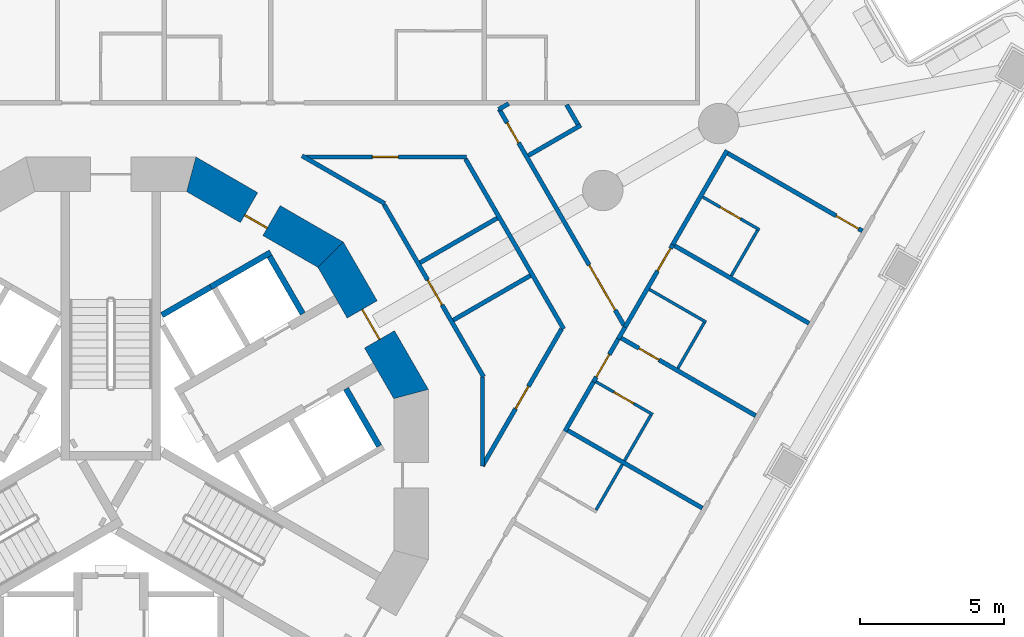
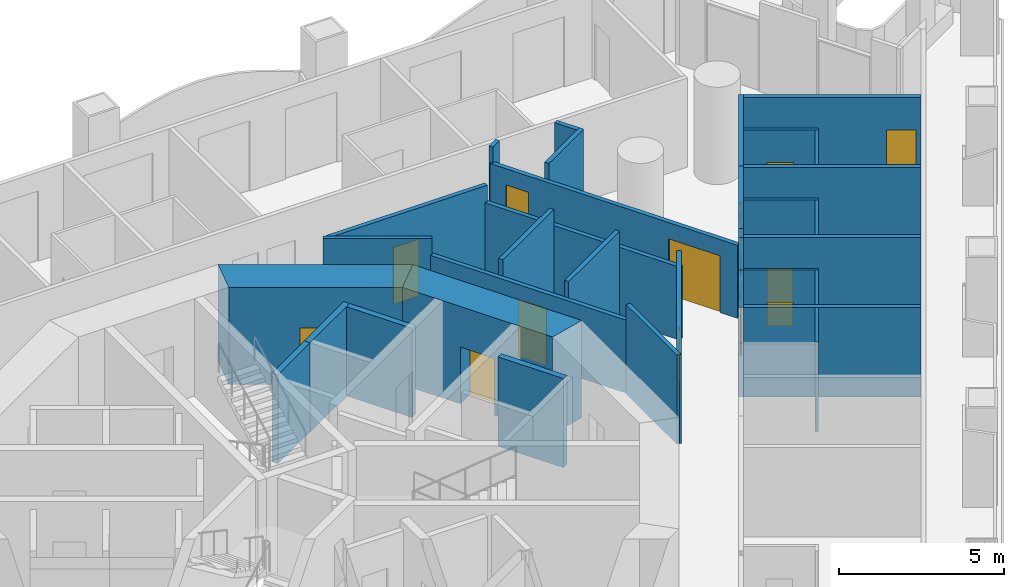
# One storey, part 9 of 19: 34 walls, 13 doors, 13 openings.
"""IFC4 building model written with IfcOpenShell, lengths in metres."""

from ifc_helpers import new_model, si_unit, direction, frame, frame_2d, origin, place, context, subcontext, project, spatial, polyline, rectangle, outline, extrude, material, layer, layer_set, type_object, element, fill, save


model = new_model("IFC4")

# Units and contexts
model_context = context("Model", 3, precision=1e-05, world=origin(), true_north=direction((0.0, 1.0)))
body_context = subcontext(model_context, "Body", "Model", "MODEL_VIEW")
ifc_project = project(units=[si_unit("LENGTHUNIT", "METRE"), si_unit("AREAUNIT", "SQUARE_METRE"), si_unit("VOLUMEUNIT", "CUBIC_METRE"), si_unit("PLANEANGLEUNIT", "RADIAN"), si_unit("MASSUNIT", "GRAM", prefix="KILO")], contexts=[model_context])

# Site, building, storey
site_placement = place(None, origin())
site = spatial("IfcSite", under=ifc_project, at=site_placement, CompositionType="ELEMENT")
building_placement = place(site_placement, origin())
building = spatial("IfcBuilding", under=site, at=building_placement, Name="Trine Commons Tower", CompositionType="ELEMENT")
storey_placement = place(building_placement, frame((0.0, 0.0, 31.5)))
storey = spatial("IfcBuildingStorey", under=building, at=storey_placement, Name="L06", CompositionType="ELEMENT", Elevation=31.5)

# Wall, opening, door
ifc_material_1 = material(Name="Concrete C80/95", Category="concrete")
ifc_layer_1 = layer(ifc_material_1, 1.199951171875)
ifc_layer_set_1 = layer_set([ifc_layer_1], Name="Concrete C80/95")
wall_type_1 = type_object("IfcWallType", Name="RC shear wall 1200 mm, C80/95", PredefinedType="SHEAR", material=ifc_layer_set_1)
wall_1_placement = place(storey_placement, frame((90.491943359375, 65.150390625, 0.0), z_axis=(0.0, 0.0, 1.0), x_axis=(-0.499979111662, 0.866037463336, 0.0)))
wall_1 = element("IfcWall", 1, at=wall_1_placement, inside=storey, type_object=wall_type_1, Name="Core wall CWA-02 L06", PredefinedType="SHEAR", context=body_context, shape_type="SweptSolid", body=[
    extrude(outline(polyline([(0.0, -0.60009765625), (5.901123046875, -0.60009765625), (5.57958984375, 0.60009765625), (0.321533203125, 0.60009765625), (0.0, -0.60009765625)])), origin(), (0.0, 0.0, 1.0), 3.60009765625),
])
opening_1_placement = place(wall_1_placement, frame((2.3505859375, 0.0, 0.0)))
opening_1 = element("IfcOpeningElement", 2, at=opening_1_placement, cuts=wall_1, Name="Opening K05.04", PredefinedType="OPENING", context=body_context, shape_type="SweptSolid", body=[
    extrude(rectangle(XDim=1.199951171875, YDim=2.10009765625, at=frame_2d((0.60009765625, 1.050048828125))), frame((0.0, 0.60986328125, 0.0), z_axis=(0.0, -1.0, 0.0), x_axis=(1.0, 0.0, 0.0)), (0.0, 0.0, 1.0), 1.219970703125),
])
ifc_material_2 = material(Name="Steel door leaves, fire-rated", Category="steel")
door_type_1 = type_object("IfcDoorType", Name="Lobby door, double leaf 1200 x 2100, FD60", OperationType="DOUBLE_DOOR_SINGLE_SWING", PredefinedType="DOOR", material=ifc_material_2)
door_1_placement = place(opening_1_placement, origin())
door_1 = element("IfcDoor", 3, at=door_1_placement, inside=storey, type_object=door_type_1, Name="Lobby door, Passenger lift lobby A L06", OperationType="DOUBLE_DOOR_SINGLE_SWING", OverallHeight=2.10009765625, OverallWidth=1.199951171875, PredefinedType="DOOR", context=body_context, shape_type="SweptSolid", body=[
    extrude(rectangle(XDim=1.199951171875, YDim=2.10009765625, at=frame_2d((0.60009765625, 1.050048828125))), frame((0.0, 0.02490234375, 0.0), z_axis=(0.0, -1.0, 0.0), x_axis=(1.0, 0.0, 0.0)), (0.0, 0.0, 1.0), 0.050048828125),
])
fill(opening_1, door_1)

wall_2_placement = place(storey_placement, frame((87.760986328125, 70.04150390625, 0.0), z_axis=(0.0, 0.0, 1.0), x_axis=(-0.866037463336, 0.499979111662, 0.0)))
wall_2 = element("IfcWall", 4, at=wall_2_placement, inside=storey, type_object=wall_type_1, Name="Core wall CWA-03 L06", PredefinedType="SHEAR", context=body_context, shape_type="SweptSolid", body=[
    extrude(outline(polyline([(0.0, -0.60009765625), (5.901123046875, -0.60009765625), (5.57958984375, 0.60009765625), (0.321533203125, 0.60009765625), (0.0, -0.60009765625)])), origin(), (0.0, 0.0, 1.0), 3.60009765625),
])
opening_2_placement = place(wall_2_placement, frame((2.526611328125, 0.0, 0.0)))
opening_2 = element("IfcOpeningElement", 5, at=opening_2_placement, cuts=wall_2, Name="Opening K05.11", PredefinedType="OPENING", context=body_context, shape_type="SweptSolid", body=[
    extrude(rectangle(XDim=0.89990234375, YDim=2.10009765625, at=frame_2d((0.449951171875, 1.050048828125))), frame((0.0, 0.60986328125, 0.0), z_axis=(0.0, -1.0, 0.0), x_axis=(1.0, 0.0, 0.0)), (0.0, 0.0, 1.0), 1.219970703125),
])
ifc_material_3 = material(Name="Steel door leaf, fire-rated", Category="steel")
door_type_2 = type_object("IfcDoorType", Name="Core room door, single leaf 900 x 2100, FD30S", OperationType="SINGLE_SWING_LEFT", PredefinedType="DOOR", material=ifc_material_3)
door_2_placement = place(opening_2_placement, origin())
door_2 = element("IfcDoor", 6, at=door_2_placement, inside=storey, type_object=door_type_2, Name="Door to Core WC L06", OperationType="SINGLE_SWING_RIGHT", OverallHeight=2.10009765625, OverallWidth=0.89990234375, PredefinedType="DOOR", context=body_context, shape_type="SweptSolid", body=[
    extrude(rectangle(XDim=0.89990234375, YDim=2.10009765625, at=frame_2d((0.449951171875, 1.050048828125))), frame((0.0, 0.3251953125, 0.0), z_axis=(0.0, -1.0, 0.0), x_axis=(1.0, 0.0, 0.0)), (0.0, 0.0, 1.0), 0.050048828125),
])
fill(opening_2, door_2)

# Walls
ifc_material_4 = material(Name="Fire-rated gypsum shaft wall system")
ifc_layer_2 = layer(ifc_material_4, 0.199951171875)
ifc_layer_set_2 = layer_set([ifc_layer_2], Name="Fire-rated gypsum shaft wall system")
wall_type_2 = type_object("IfcWallType", Name="Shaft wall 200 mm, EI 120", PredefinedType="PARTITIONING", material=ifc_layer_set_2)
wall_3_placement = place(storey_placement, frame((81.77490234375, 68.028076171875, 0.0), z_axis=(0.0, 0.0, 1.0), x_axis=(0.866052014814, 0.499953905513, 0.0)))
element("IfcWall", 7, at=wall_3_placement, inside=storey, type_object=wall_type_2, Name="Shaft wall L06", PredefinedType="PARTITIONING", context=body_context, shape_type="SweptSolid", body=[
    extrude(rectangle(XDim=1.947998046875, YDim=0.199951171875, at=frame_2d((0.97412109375, 0.0))), origin(), (0.0, 0.0, 1.0), 3.300048828125),
])
wall_4_placement = place(storey_placement, frame((83.4619140625, 69.001953125, 0.0), z_axis=(0.0, 0.0, 1.0), x_axis=(0.866202511239, 0.499693115345, 0.0)))
element("IfcWall", 8, at=wall_4_placement, inside=storey, type_object=wall_type_2, Name="Shaft wall L06", PredefinedType="PARTITIONING", context=body_context, shape_type="SweptSolid", body=[
    extrude(rectangle(XDim=2.4013671875, YDim=0.199951171875, at=frame_2d((1.20068359375, 0.0))), origin(), (0.0, 0.0, 1.0), 3.300048828125),
])
wall_5_placement = place(storey_placement, frame((86.655029296875, 68.073974609375, 0.0), z_axis=(0.0, 0.0, 1.0), x_axis=(-0.500215680983, 0.865900844496, 0.0)))
element("IfcWall", 9, at=wall_5_placement, inside=storey, type_object=wall_type_2, Name="Shaft wall L06", PredefinedType="PARTITIONING", context=body_context, shape_type="SweptSolid", body=[
    extrude(rectangle(XDim=2.29931640625, YDim=0.199951171875, at=frame_2d((1.149658203125, 0.0))), origin(), (0.0, 0.0, 1.0), 3.300048828125),
])
wall_6_placement = place(storey_placement, frame((88.155029296875, 65.47607421875, 0.0), z_axis=(0.0, 0.0, 1.0), x_axis=(0.500136062276, -0.86594683394, 0.0)))
element("IfcWall", 10, at=wall_6_placement, inside=storey, type_object=wall_type_2, Name="Shaft wall L06", PredefinedType="PARTITIONING", context=body_context, shape_type="SweptSolid", body=[
    extrude(rectangle(XDim=2.299072265625, YDim=0.199951171875, at=frame_2d((1.1494140625, 0.0))), origin(), (0.0, 0.0, 1.0), 3.300048828125),
])
ifc_material_5 = material(Name="Gypsum plasterboard on steel stud", Category="steel")
ifc_layer_3 = layer(ifc_material_5, 0.14990234375)
ifc_layer_set_3 = layer_set([ifc_layer_3], Name="Gypsum plasterboard on steel stud")
wall_type_3 = type_object("IfcWallType", Name="Unit and corridor wall 150 mm, EI 60", PredefinedType="PARTITIONING", material=ifc_layer_set_3)
wall_7_placement = place(storey_placement, frame((86.633056640625, 73.551513671875, 0.0), z_axis=(0.0, 0.0, 1.0), x_axis=(0.865959508231, -0.500114117081, 0.0)))
element("IfcWall", 11, at=wall_7_placement, inside=storey, type_object=wall_type_3, Name="Partition 092", PredefinedType="PARTITIONING", context=body_context, shape_type="SweptSolid", body=[
    extrude(rectangle(XDim=3.309326171875, YDim=0.14990234375, at=frame_2d((1.65478515625, 0.0))), origin(), (0.0, 0.0, 1.0), 3.300048828125),
])

# Wall, opening, door
wall_8_placement = place(storey_placement, frame((86.77587890625, 73.511962890625, 0.0), z_axis=(0.0, 0.0, 1.0), x_axis=(1.0, 0.0, 0.0)))
wall_8 = element("IfcWall", 12, at=wall_8_placement, inside=storey, type_object=wall_type_3, Name="Partition 093", PredefinedType="PARTITIONING", context=body_context, shape_type="SweptSolid", body=[
    extrude(rectangle(XDim=5.55810546875, YDim=0.14990234375, at=frame_2d((2.779052734375, 0.0))), origin(), (0.0, 0.0, 1.0), 3.300048828125),
])
opening_3_placement = place(wall_8_placement, frame((2.29150390625, 0.0, 0.0)))
opening_3 = element("IfcOpeningElement", 13, at=opening_3_placement, cuts=wall_8, Name="Opening D-1A36", PredefinedType="OPENING", context=body_context, shape_type="SweptSolid", body=[
    extrude(rectangle(XDim=0.89990234375, YDim=2.10009765625, at=frame_2d((0.449951171875, 1.050048828125))), frame((0.0, 0.0849609375, 0.0), z_axis=(0.0, -1.0, 0.0), x_axis=(1.0, 0.0, 0.0)), (0.0, 0.0, 1.0), 0.169921875),
])
ifc_material_6 = material(Name="Timber fire door set", Category="wood")
door_type_3 = type_object("IfcDoorType", Name="Service door 900 x 2100, FD30S", OperationType="NOTDEFINED", PredefinedType="DOOR", material=ifc_material_6)
door_3_placement = place(opening_3_placement, frame((0.89990234375, 0.0, 0.0), z_axis=(0.0, 0.0, 1.0), x_axis=(-1.0, 0.0, 0.0)))
door_3 = element("IfcDoor", 14, at=door_3_placement, inside=storey, type_object=door_type_3, Name="Door D-1A36", OperationType="SINGLE_SWING_RIGHT", OverallHeight=2.10009765625, OverallWidth=0.89990234375, PredefinedType="DOOR", context=body_context, shape_type="SweptSolid", body=[
    extrude(rectangle(XDim=0.89990234375, YDim=2.10009765625, at=frame_2d((0.449951171875, 1.050048828125))), frame((0.0, 0.02490234375, 0.0), z_axis=(0.0, -1.0, 0.0), x_axis=(1.0, 0.0, 0.0)), (0.0, 0.0, 1.0), 0.050048828125),
])
fill(opening_3, door_3)

wall_9_placement = place(storey_placement, frame((89.471435546875, 71.868896484375, 0.0), z_axis=(0.0, 0.0, 1.0), x_axis=(0.50000193825, -0.866024284732, 0.0)))
wall_9 = element("IfcWall", 15, at=wall_9_placement, inside=storey, type_object=wall_type_3, Name="Partition 099", PredefinedType="PARTITIONING", context=body_context, shape_type="SweptSolid", body=[
    extrude(rectangle(XDim=6.90625, YDim=0.14990234375, at=frame_2d((3.453125, 0.0))), origin(), (0.0, 0.0, 1.0), 2.699951171875),
])
opening_4_placement = place(wall_9_placement, frame((3.0283203125, 0.0, 0.0)))
opening_4 = element("IfcOpeningElement", 16, at=opening_4_placement, cuts=wall_9, Name="Opening D-1A40", PredefinedType="OPENING", context=body_context, shape_type="SweptSolid", body=[
    extrude(rectangle(XDim=1.0, YDim=2.10009765625, at=frame_2d((0.5, 1.050048828125))), frame((0.0, 0.0849609375, 0.0), z_axis=(0.0, -1.0, 0.0), x_axis=(1.0, 0.0, 0.0)), (0.0, 0.0, 1.0), 0.169921875),
])
ifc_material_7 = material(Name="Painted timber", Category="wood")
door_type_4 = type_object("IfcDoorType", Name="Toilet door 1000 x 2100, NOT RATED", OperationType="NOTDEFINED", PredefinedType="DOOR", material=ifc_material_7)
door_4_placement = place(opening_4_placement, origin())
door_4 = element("IfcDoor", 17, at=door_4_placement, inside=storey, type_object=door_type_4, Name="Door D-1A40", OperationType="SINGLE_SWING_RIGHT", OverallHeight=2.10009765625, OverallWidth=1.0, PredefinedType="DOOR", context=body_context, shape_type="SweptSolid", body=[
    extrude(rectangle(XDim=1.0, YDim=2.10009765625, at=frame_2d((0.5, 1.050048828125))), frame((0.0, 0.02490234375, 0.0), z_axis=(0.0, -1.0, 0.0), x_axis=(1.0, 0.0, 0.0)), (0.0, 0.0, 1.0), 0.050048828125),
])
fill(opening_4, door_4)

# Walls
wall_10_placement = place(storey_placement, frame((90.724853515625, 69.846435546875, 0.0), z_axis=(0.0, 0.0, 1.0), x_axis=(0.866014305363, 0.500019222537, 0.0)))
element("IfcWall", 18, at=wall_10_placement, inside=storey, type_object=wall_type_3, Name="Partition 103", PredefinedType="PARTITIONING", context=body_context, shape_type="SweptSolid", body=[
    extrude(rectangle(XDim=3.0859375, YDim=0.14990234375, at=frame_2d((1.54296875, 0.0))), origin(), (0.0, 0.0, 1.0), 3.300048828125),
])
wall_11_placement = place(storey_placement, frame((91.875, 67.8544921875, 0.0), z_axis=(0.0, 0.0, 1.0), x_axis=(0.865994522568, 0.500053484023, 0.0)))
element("IfcWall", 19, at=wall_11_placement, inside=storey, type_object=wall_type_3, Name="Partition 104", PredefinedType="PARTITIONING", context=body_context, shape_type="SweptSolid", body=[
    extrude(rectangle(XDim=3.085693359375, YDim=0.14990234375, at=frame_2d((1.54296875, 0.0))), origin(), (0.0, 0.0, 1.0), 3.300048828125),
])
wall_12_placement = place(storey_placement, frame((92.29638671875, 73.447021484375, 0.0), z_axis=(0.0, 0.0, 1.0), x_axis=(0.499961235371, -0.866047783397, 0.0)))
element("IfcWall", 20, at=wall_12_placement, inside=storey, type_object=wall_type_3, Name="Partition 106", PredefinedType="PARTITIONING", context=body_context, shape_type="SweptSolid", body=[
    extrude(rectangle(XDim=6.81494140625, YDim=0.14990234375, at=frame_2d((3.407470703125, 0.0))), origin(), (0.0, 0.0, 1.0), 2.699951171875),
])
wall_13_placement = place(storey_placement, frame((92.886962890625, 62.79296875, 0.0), z_axis=(0.0, 0.0, 1.0), x_axis=(0.0, 1.0, 0.0)))
element("IfcWall", 21, at=wall_13_placement, inside=storey, type_object=wall_type_3, Name="Partition 108", PredefinedType="PARTITIONING", context=body_context, shape_type="SweptSolid", body=[
    extrude(rectangle(XDim=3.0849609375, YDim=0.14990234375, at=frame_2d((1.54248046875, 0.0))), origin(), (0.0, 0.0, 1.0), 3.300048828125),
])

# Wall, opening, door
wall_14_placement = place(storey_placement, frame((92.886962890625, 62.797119140625, 0.0), z_axis=(0.0, 0.0, 1.0), x_axis=(0.500042392625, 0.866000927008, 0.0)))
wall_14 = element("IfcWall", 22, at=wall_14_placement, inside=storey, type_object=wall_type_3, Name="Partition 109", PredefinedType="PARTITIONING", context=body_context, shape_type="SweptSolid", body=[
    extrude(rectangle(XDim=5.482421875, YDim=0.14990234375, at=frame_2d((2.7412109375, 0.0))), origin(), (0.0, 0.0, 1.0), 3.300048828125),
])
opening_5_placement = place(wall_14_placement, frame((2.291259765625, 0.0, 0.0)))
opening_5 = element("IfcOpeningElement", 23, at=opening_5_placement, cuts=wall_14, Name="Opening D-1A37", PredefinedType="OPENING", context=body_context, shape_type="SweptSolid", body=[
    extrude(rectangle(XDim=0.89990234375, YDim=2.10009765625, at=frame_2d((0.449951171875, 1.050048828125))), frame((0.0, 0.0849609375, 0.0), z_axis=(0.0, -1.0, 0.0), x_axis=(1.0, 0.0, 0.0)), (0.0, 0.0, 1.0), 0.169921875),
])
door_5_placement = place(opening_5_placement, origin())
door_5 = element("IfcDoor", 24, at=door_5_placement, inside=storey, type_object=door_type_3, Name="Door D-1A37", OperationType="SINGLE_SWING_LEFT", OverallHeight=2.10009765625, OverallWidth=0.89990234375, PredefinedType="DOOR", context=body_context, shape_type="SweptSolid", body=[
    extrude(rectangle(XDim=0.89990234375, YDim=2.10009765625, at=frame_2d((0.449951171875, 1.050048828125))), frame((0.0, 0.02490234375, 0.0), z_axis=(0.0, -1.0, 0.0), x_axis=(1.0, 0.0, 0.0)), (0.0, 0.0, 1.0), 0.050048828125),
])
fill(opening_5, door_5)

# Wall, openings, doors
wall_15_placement = place(storey_placement, frame((93.464111328125, 75.173095703125, 0.0), z_axis=(0.0, 0.0, 1.0), x_axis=(0.50002999923, -0.866008083028, 0.0)))
wall_15 = element("IfcWall", 25, at=wall_15_placement, inside=storey, type_object=wall_type_3, Name="Partition 112", PredefinedType="PARTITIONING", context=body_context, shape_type="SweptSolid", body=[
    extrude(rectangle(XDim=8.658203125, YDim=0.14990234375, at=frame_2d((4.3291015625, 0.0))), origin(), (0.0, 0.0, 1.0), 2.699951171875),
])
opening_6_placement = place(wall_15_placement, frame((6.24560546875, 0.0, 0.0)))
opening_6 = element("IfcOpeningElement", 26, at=opening_6_placement, cuts=wall_15, Name="Opening D-1A01", PredefinedType="OPENING", context=body_context, shape_type="SweptSolid", body=[
    extrude(rectangle(XDim=1.800048828125, YDim=2.10009765625, at=frame_2d((0.89990234375, 1.050048828125))), frame((0.0, 0.0849609375, 0.0), z_axis=(0.0, -1.0, 0.0), x_axis=(1.0, 0.0, 0.0)), (0.0, 0.0, 1.0), 0.169921875),
])
opening_7_placement = place(wall_15_placement, frame((0.55322265625, 0.0, 0.0)))
opening_7 = element("IfcOpeningElement", 27, at=opening_7_placement, cuts=wall_15, Name="Opening D-1A04", PredefinedType="OPENING", context=body_context, shape_type="SweptSolid", body=[
    extrude(rectangle(XDim=0.800048828125, YDim=2.10009765625, at=frame_2d((0.39990234375, 1.050048828125))), frame((0.0, 0.0849609375, 0.0), z_axis=(0.0, -1.0, 0.0), x_axis=(1.0, 0.0, 0.0)), (0.0, 0.0, 1.0), 0.169921875),
])
door_type_5 = type_object("IfcDoorType", Name="Cluster entrance door 1800 x 2100, double leaf, FD30S", OperationType="DOUBLE_DOOR_DOUBLE_SWING", PredefinedType="DOOR", material=ifc_material_6)
door_6_placement = place(opening_6_placement, origin())
door_6 = element("IfcDoor", 28, at=door_6_placement, inside=storey, type_object=door_type_5, Name="Door D-1A01", OperationType="DOUBLE_DOOR_DOUBLE_SWING", OverallHeight=2.10009765625, OverallWidth=1.800048828125, PredefinedType="DOOR", context=body_context, shape_type="SweptSolid", body=[
    extrude(rectangle(XDim=1.800048828125, YDim=2.10009765625, at=frame_2d((0.89990234375, 1.050048828125))), frame((0.0, 0.02490234375, 0.0), z_axis=(0.0, -1.0, 0.0), x_axis=(1.0, 0.0, 0.0)), (0.0, 0.0, 1.0), 0.050048828125),
])
fill(opening_6, door_6)
door_type_6 = type_object("IfcDoorType", Name="Toilet door 800 x 2100, NOT RATED", OperationType="NOTDEFINED", PredefinedType="DOOR", material=ifc_material_7)
door_7_placement = place(opening_7_placement, origin())
door_7 = element("IfcDoor", 29, at=door_7_placement, inside=storey, type_object=door_type_6, Name="Door D-1A04", OperationType="SINGLE_SWING_LEFT", OverallHeight=2.10009765625, OverallWidth=0.800048828125, PredefinedType="DOOR", context=body_context, shape_type="SweptSolid", body=[
    extrude(rectangle(XDim=0.800048828125, YDim=2.10009765625, at=frame_2d((0.39990234375, 1.050048828125))), frame((0.0, 0.02490234375, 0.0), z_axis=(0.0, -1.0, 0.0), x_axis=(1.0, 0.0, 0.0)), (0.0, 0.0, 1.0), 0.050048828125),
])
fill(opening_7, door_7)

# Walls
wall_16_placement = place(storey_placement, frame((93.447998046875, 75.159423828125, 0.0), z_axis=(0.0, 0.0, 1.0), x_axis=(0.865412357026, 0.50106032801, 0.0)))
element("IfcWall", 30, at=wall_16_placement, inside=storey, type_object=wall_type_3, Name="Partition 113", PredefinedType="PARTITIONING", context=body_context, shape_type="SweptSolid", body=[
    extrude(rectangle(XDim=0.400146484375, YDim=0.14990234375, at=frame_2d((0.2001953125, 0.0))), origin(), (0.0, 0.0, 1.0), 3.300048828125),
])
wall_17_placement = place(storey_placement, frame((94.48095703125, 73.5625, 0.0), z_axis=(0.0, 0.0, 1.0), x_axis=(0.866067520717, 0.499927044236, 0.0)))
element("IfcWall", 31, at=wall_17_placement, inside=storey, type_object=wall_type_3, Name="Partition 115", PredefinedType="PARTITIONING", context=body_context, shape_type="SweptSolid", body=[
    extrude(rectangle(XDim=2.100341796875, YDim=0.14990234375, at=frame_2d((1.05029296875, 0.0))), origin(), (0.0, 0.0, 1.0), 3.300048828125),
])
wall_18_placement = place(storey_placement, frame((95.803466796875, 75.322021484375, 0.0), z_axis=(0.0, 0.0, 1.0), x_axis=(0.500205309043, -0.8659068361, 0.0)))
element("IfcWall", 32, at=wall_18_placement, inside=storey, type_object=wall_type_3, Name="Partition 119", PredefinedType="PARTITIONING", context=body_context, shape_type="SweptSolid", body=[
    extrude(rectangle(XDim=0.787841796875, YDim=0.14990234375, at=frame_2d((0.39404296875, 0.0))), origin(), (0.0, 0.0, 1.0), 3.300048828125),
])
wall_19_placement = place(storey_placement, frame((95.744384765625, 63.9970703125, 0.0), z_axis=(0.0, 0.0, 1.0), x_axis=(0.500169528197, 0.865927504508, 0.0)))
element("IfcWall", 33, at=wall_19_placement, inside=storey, type_object=wall_type_3, Name="Partition 120", PredefinedType="PARTITIONING", context=body_context, shape_type="SweptSolid", body=[
    extrude(rectangle(XDim=2.032470703125, YDim=0.14990234375, at=frame_2d((1.01611328125, 0.0))), origin(), (0.0, 0.0, 1.0), 3.300048828125),
])
wall_20_placement = place(storey_placement, frame((95.84912109375, 64.027587890625, 0.0), z_axis=(0.0, 0.0, 1.0), x_axis=(0.865992970276, -0.500056172277, 0.0)))
element("IfcWall", 34, at=wall_20_placement, inside=storey, type_object=wall_type_3, Name="Partition 121", PredefinedType="PARTITIONING", context=body_context, shape_type="SweptSolid", body=[
    extrude(rectangle(XDim=5.3828125, YDim=0.14990234375, at=frame_2d((2.69140625, 0.0))), origin(), (0.0, 0.0, 1.0), 3.300048828125),
])

# Wall, opening, door
wall_21_placement = place(storey_placement, frame((96.73291015625, 65.707763671875, 0.0), z_axis=(0.0, 0.0, 1.0), x_axis=(0.499991567972, 0.866030271964, 0.0)))
wall_21 = element("IfcWall", 35, at=wall_21_placement, inside=storey, type_object=wall_type_3, Name="Partition 122", PredefinedType="PARTITIONING", context=body_context, shape_type="SweptSolid", body=[
    extrude(rectangle(XDim=1.80615234375, YDim=0.14990234375, at=frame_2d((0.903076171875, 0.0))), origin(), (0.0, 0.0, 1.0), 3.300048828125),
])
opening_8_placement = place(wall_21_placement, frame((0.203125, 0.0, 0.0)))
opening_8 = element("IfcOpeningElement", 36, at=opening_8_placement, cuts=wall_21, Name="Opening D-1A17", PredefinedType="OPENING", context=body_context, shape_type="SweptSolid", body=[
    extrude(rectangle(XDim=0.89990234375, YDim=2.10009765625, at=frame_2d((0.449951171875, 1.050048828125))), frame((0.0, 0.0849609375, 0.0), z_axis=(0.0, -1.0, 0.0), x_axis=(1.0, 0.0, 0.0)), (0.0, 0.0, 1.0), 0.169921875),
])
door_type_7 = type_object("IfcDoorType", Name="Bedroom door 900 x 2100, FD30S", OperationType="NOTDEFINED", PredefinedType="DOOR", material=ifc_material_6)
door_8_placement = place(opening_8_placement, frame((0.89990234375, 0.0, 0.0), z_axis=(0.0, 0.0, 1.0), x_axis=(-1.0, 0.0, 0.0)))
door_8 = element("IfcDoor", 37, at=door_8_placement, inside=storey, type_object=door_type_7, Name="Door D-1A17", OperationType="SINGLE_SWING_RIGHT", OverallHeight=2.10009765625, OverallWidth=0.89990234375, PredefinedType="DOOR", context=body_context, shape_type="SweptSolid", body=[
    extrude(rectangle(XDim=0.89990234375, YDim=2.10009765625, at=frame_2d((0.449951171875, 1.050048828125))), frame((0.0, 0.02490234375, 0.0), z_axis=(0.0, -1.0, 0.0), x_axis=(1.0, 0.0, 0.0)), (0.0, 0.0, 1.0), 0.050048828125),
])
fill(opening_8, door_8)

# Wall
wall_22_placement = place(storey_placement, frame((97.594482421875, 67.199951171875, 0.0), z_axis=(0.0, 0.0, 1.0), x_axis=(0.499633176362, 0.866237085952, 0.0)))
element("IfcWall", 38, at=wall_22_placement, inside=storey, type_object=wall_type_3, Name="Partition 125", PredefinedType="PARTITIONING", context=body_context, shape_type="SweptSolid", body=[
    extrude(rectangle(XDim=0.473388671875, YDim=0.14990234375, at=frame_2d((0.23681640625, 0.0))), origin(), (0.0, 0.0, 1.0), 3.300048828125),
])

# Wall, opening, door
wall_23_placement = place(storey_placement, frame((97.697998046875, 67.2314453125, 0.0), z_axis=(0.0, 0.0, 1.0), x_axis=(0.866057962423, -0.499943602543, 0.0)))
wall_23 = element("IfcWall", 39, at=wall_23_placement, inside=storey, type_object=wall_type_3, Name="Partition 126", PredefinedType="PARTITIONING", context=body_context, shape_type="SweptSolid", body=[
    extrude(rectangle(XDim=5.38330078125, YDim=0.14990234375, at=frame_2d((2.691650390625, 0.0))), origin(), (0.0, 0.0, 1.0), 3.300048828125),
])
opening_9_placement = place(wall_23_placement, frame((0.712646484375, 0.0, 0.0)))
opening_9 = element("IfcOpeningElement", 40, at=opening_9_placement, cuts=wall_23, Name="Opening D-1A49", PredefinedType="OPENING", context=body_context, shape_type="SweptSolid", body=[
    extrude(rectangle(XDim=0.800048828125, YDim=2.10009765625, at=frame_2d((0.39990234375, 1.050048828125))), frame((0.0, 0.0849609375, 0.0), z_axis=(0.0, -1.0, 0.0), x_axis=(1.0, 0.0, 0.0)), (0.0, 0.0, 1.0), 0.169921875),
])
door_type_8 = type_object("IfcDoorType", Name="Internal door 800 x 2100, NOT RATED", OperationType="NOTDEFINED", PredefinedType="DOOR", material=ifc_material_7)
door_9_placement = place(opening_9_placement, frame((0.800048828125, 0.0, 0.0), z_axis=(0.0, 0.0, 1.0), x_axis=(-1.0, 0.0, 0.0)))
door_9 = element("IfcDoor", 41, at=door_9_placement, inside=storey, type_object=door_type_8, Name="Door D-1A49", OperationType="SINGLE_SWING_RIGHT", OverallHeight=2.10009765625, OverallWidth=0.800048828125, PredefinedType="DOOR", context=body_context, shape_type="SweptSolid", body=[
    extrude(rectangle(XDim=0.800048828125, YDim=2.10009765625, at=frame_2d((0.39990234375, 1.050048828125))), frame((0.0, 0.02490234375, 0.0), z_axis=(0.0, -1.0, 0.0), x_axis=(1.0, 0.0, 0.0)), (0.0, 0.0, 1.0), 0.050048828125),
])
fill(opening_9, door_9)

wall_24_placement = place(storey_placement, frame((97.8310546875, 67.610107421875, 0.0), z_axis=(0.0, 0.0, 1.0), x_axis=(0.499905801698, 0.866079782369, 0.0)))
wall_24 = element("IfcWall", 42, at=wall_24_placement, inside=storey, type_object=wall_type_3, Name="Partition 128", PredefinedType="PARTITIONING", context=body_context, shape_type="SweptSolid", body=[
    extrude(rectangle(XDim=3.304443359375, YDim=0.14990234375, at=frame_2d((1.65234375, 0.0))), origin(), (0.0, 0.0, 1.0), 3.300048828125),
])
opening_10_placement = place(wall_24_placement, frame((2.254638671875, 0.0, 0.0)))
opening_10 = element("IfcOpeningElement", 43, at=opening_10_placement, cuts=wall_24, Name="Opening D-1A16", PredefinedType="OPENING", context=body_context, shape_type="SweptSolid", body=[
    extrude(rectangle(XDim=0.89990234375, YDim=2.10009765625, at=frame_2d((0.449951171875, 1.050048828125))), frame((0.0, 0.0849609375, 0.0), z_axis=(0.0, -1.0, 0.0), x_axis=(1.0, 0.0, 0.0)), (0.0, 0.0, 1.0), 0.169921875),
])
door_10_placement = place(opening_10_placement, frame((0.89990234375, 0.0, 0.0), z_axis=(0.0, 0.0, 1.0), x_axis=(-1.0, 0.0, 0.0)))
door_10 = element("IfcDoor", 44, at=door_10_placement, inside=storey, type_object=door_type_7, Name="Door D-1A16", OperationType="SINGLE_SWING_LEFT", OverallHeight=2.10009765625, OverallWidth=0.89990234375, PredefinedType="DOOR", context=body_context, shape_type="SweptSolid", body=[
    extrude(rectangle(XDim=0.89990234375, YDim=2.10009765625, at=frame_2d((0.449951171875, 1.050048828125))), frame((0.0, 0.02490234375, 0.0), z_axis=(0.0, -1.0, 0.0), x_axis=(1.0, 0.0, 0.0)), (0.0, 0.0, 1.0), 0.050048828125),
])
fill(opening_10, door_10)

# Walls
wall_25_placement = place(storey_placement, frame((99.48291015625, 70.471923828125, 0.0), z_axis=(0.0, 0.0, 1.0), x_axis=(0.49993154479, 0.866064922811, 0.0)))
element("IfcWall", 45, at=wall_25_placement, inside=storey, type_object=wall_type_3, Name="Partition 130", PredefinedType="PARTITIONING", context=body_context, shape_type="SweptSolid", body=[
    extrude(rectangle(XDim=3.7734375, YDim=0.14990234375, at=frame_2d((1.88671875, 0.0))), origin(), (0.0, 0.0, 1.0), 3.300048828125),
])
wall_26_placement = place(storey_placement, frame((99.548095703125, 70.4345703125, 0.0), z_axis=(0.0, 0.0, 1.0), x_axis=(0.865992970276, -0.500056172277, 0.0)))
element("IfcWall", 46, at=wall_26_placement, inside=storey, type_object=wall_type_3, Name="Partition 131", PredefinedType="PARTITIONING", context=body_context, shape_type="SweptSolid", body=[
    extrude(rectangle(XDim=5.3828125, YDim=0.14990234375, at=frame_2d((2.69140625, 0.0))), origin(), (0.0, 0.0, 1.0), 3.300048828125),
])

# Wall, opening, door
wall_27_placement = place(storey_placement, frame((101.39697265625, 73.637451171875, 0.0), z_axis=(0.0, 0.0, 1.0), x_axis=(0.866057962423, -0.499943602543, 0.0)))
wall_27 = element("IfcWall", 47, at=wall_27_placement, inside=storey, type_object=wall_type_3, Name="Partition 135", PredefinedType="PARTITIONING", context=body_context, shape_type="SweptSolid", body=[
    extrude(rectangle(XDim=5.38330078125, YDim=0.14990234375, at=frame_2d((2.691650390625, 0.0))), origin(), (0.0, 0.0, 1.0), 3.300048828125),
])
opening_11_placement = place(wall_27_placement, frame((4.33349609375, 0.0, 0.0)))
opening_11 = element("IfcOpeningElement", 48, at=opening_11_placement, cuts=wall_27, Name="Opening D-1A15", PredefinedType="OPENING", context=body_context, shape_type="SweptSolid", body=[
    extrude(rectangle(XDim=0.89990234375, YDim=2.10009765625, at=frame_2d((0.449951171875, 1.050048828125))), frame((0.0, 0.0849609375, 0.0), z_axis=(0.0, -1.0, 0.0), x_axis=(1.0, 0.0, 0.0)), (0.0, 0.0, 1.0), 0.169921875),
])
door_11_placement = place(opening_11_placement, frame((0.89990234375, 0.0, 0.0), z_axis=(0.0, 0.0, 1.0), x_axis=(-1.0, 0.0, 0.0)))
door_11 = element("IfcDoor", 49, at=door_11_placement, inside=storey, type_object=door_type_7, Name="Door D-1A15", OperationType="SINGLE_SWING_LEFT", OverallHeight=2.10009765625, OverallWidth=0.89990234375, PredefinedType="DOOR", context=body_context, shape_type="SweptSolid", body=[
    extrude(rectangle(XDim=0.89990234375, YDim=2.10009765625, at=frame_2d((0.449951171875, 1.050048828125))), frame((0.0, 0.02490234375, 0.0), z_axis=(0.0, -1.0, 0.0), x_axis=(1.0, 0.0, 0.0)), (0.0, 0.0, 1.0), 0.050048828125),
])
fill(opening_11, door_11)

ifc_layer_4 = layer(ifc_material_5, 0.10009765625)
ifc_layer_set_4 = layer_set([ifc_layer_4], Name="Gypsum plasterboard on steel stud")
wall_type_4 = type_object("IfcWallType", Name="Unit partition 100 mm, no rating", PredefinedType="PARTITIONING", material=ifc_layer_set_4)
wall_28_placement = place(storey_placement, frame((96.823974609375, 65.716552734375, 0.0), z_axis=(0.0, 0.0, 1.0), x_axis=(0.866035472144, -0.499982560684, 0.0)))
wall_28 = element("IfcWall", 50, at=wall_28_placement, inside=storey, type_object=wall_type_4, Name="Partition 123", PredefinedType="PARTITIONING", context=body_context, shape_type="SweptSolid", body=[
    extrude(rectangle(XDim=2.27490234375, YDim=0.10009765625, at=frame_2d((1.137451171875, 0.0))), origin(), (0.0, 0.0, 1.0), 3.300048828125),
])
opening_12_placement = place(wall_28_placement, frame((0.712646484375, 0.0, 0.0)))
opening_12 = element("IfcOpeningElement", 51, at=opening_12_placement, cuts=wall_28, Name="Opening D-1A50", PredefinedType="OPENING", context=body_context, shape_type="SweptSolid", body=[
    extrude(rectangle(XDim=0.800048828125, YDim=2.10009765625, at=frame_2d((0.39990234375, 1.050048828125))), frame((0.0, 0.06005859375, 0.0), z_axis=(0.0, -1.0, 0.0), x_axis=(1.0, 0.0, 0.0)), (0.0, 0.0, 1.0), 0.1201171875),
])
door_12_placement = place(opening_12_placement, origin())
door_12 = element("IfcDoor", 52, at=door_12_placement, inside=storey, type_object=door_type_8, Name="Door D-1A50", OperationType="SINGLE_SWING_LEFT", OverallHeight=2.10009765625, OverallWidth=0.800048828125, PredefinedType="DOOR", context=body_context, shape_type="SweptSolid", body=[
    extrude(rectangle(XDim=0.800048828125, YDim=2.10009765625, at=frame_2d((0.39990234375, 1.050048828125))), frame((0.0, 0.02490234375, 0.0), z_axis=(0.0, -1.0, 0.0), x_axis=(1.0, 0.0, 0.0)), (0.0, 0.0, 1.0), 0.050048828125),
])
fill(opening_12, door_12)

# Walls
wall_29_placement = place(storey_placement, frame((96.825927734375, 61.270263671875, 0.0), z_axis=(0.0, 0.0, 1.0), x_axis=(0.500197336954, 0.86591144126, 0.0)))
element("IfcWall", 53, at=wall_29_placement, inside=storey, type_object=wall_type_4, Name="Partition 124", PredefinedType="PARTITIONING", context=body_context, shape_type="SweptSolid", body=[
    extrude(rectangle(XDim=1.824462890625, YDim=0.10009765625, at=frame_2d((0.912109375, 0.0))), origin(), (0.0, 0.0, 1.0), 3.300048828125),
])
wall_30_placement = place(storey_placement, frame((97.8134765625, 62.97998046875, 0.0), z_axis=(0.0, 0.0, 1.0), x_axis=(0.499965592563, 0.866045268016, 0.0)))
element("IfcWall", 54, at=wall_30_placement, inside=storey, type_object=wall_type_4, Name="Partition 127", PredefinedType="PARTITIONING", context=body_context, shape_type="SweptSolid", body=[
    extrude(rectangle(XDim=1.825439453125, YDim=0.10009765625, at=frame_2d((0.91259765625, 0.0))), origin(), (0.0, 0.0, 1.0), 3.300048828125),
])
wall_31_placement = place(storey_placement, frame((98.673095703125, 68.91943359375, 0.0), z_axis=(0.0, 0.0, 1.0), x_axis=(0.866035472144, -0.499982560684, 0.0)))
element("IfcWall", 55, at=wall_31_placement, inside=storey, type_object=wall_type_4, Name="Partition 129", PredefinedType="PARTITIONING", context=body_context, shape_type="SweptSolid", body=[
    extrude(rectangle(XDim=2.27490234375, YDim=0.10009765625, at=frame_2d((1.137451171875, 0.0))), origin(), (0.0, 0.0, 1.0), 3.300048828125),
])
wall_32_placement = place(storey_placement, frame((99.66259765625, 66.183837890625, 0.0), z_axis=(0.0, 0.0, 1.0), x_axis=(0.50009699267, 0.865969397798, 0.0)))
element("IfcWall", 56, at=wall_32_placement, inside=storey, type_object=wall_type_4, Name="Partition 132", PredefinedType="PARTITIONING", context=body_context, shape_type="SweptSolid", body=[
    extrude(rectangle(XDim=1.824462890625, YDim=0.10009765625, at=frame_2d((0.912109375, 0.0))), origin(), (0.0, 0.0, 1.0), 3.300048828125),
])

# Wall, opening, door
wall_33_placement = place(storey_placement, frame((100.52294921875, 72.12353515625, 0.0), z_axis=(0.0, 0.0, 1.0), x_axis=(0.866062295389, -0.499936096422, 0.0)))
wall_33 = element("IfcWall", 57, at=wall_33_placement, inside=storey, type_object=wall_type_4, Name="Partition 134", PredefinedType="PARTITIONING", context=body_context, shape_type="SweptSolid", body=[
    extrude(rectangle(XDim=2.275146484375, YDim=0.10009765625, at=frame_2d((1.1376953125, 0.0))), origin(), (0.0, 0.0, 1.0), 3.300048828125),
])
opening_13_placement = place(wall_33_placement, frame((0.712646484375, 0.0, 0.0)))
opening_13 = element("IfcOpeningElement", 58, at=opening_13_placement, cuts=wall_33, Name="Opening D-1A48", PredefinedType="OPENING", context=body_context, shape_type="SweptSolid", body=[
    extrude(rectangle(XDim=0.800048828125, YDim=2.10009765625, at=frame_2d((0.39990234375, 1.050048828125))), frame((0.0, 0.06005859375, 0.0), z_axis=(0.0, -1.0, 0.0), x_axis=(1.0, 0.0, 0.0)), (0.0, 0.0, 1.0), 0.1201171875),
])
door_13_placement = place(opening_13_placement, origin())
door_13 = element("IfcDoor", 59, at=door_13_placement, inside=storey, type_object=door_type_8, Name="Door D-1A48", OperationType="SINGLE_SWING_LEFT", OverallHeight=2.10009765625, OverallWidth=0.800048828125, PredefinedType="DOOR", context=body_context, shape_type="SweptSolid", body=[
    extrude(rectangle(XDim=0.800048828125, YDim=2.10009765625, at=frame_2d((0.39990234375, 1.050048828125))), frame((0.0, 0.02490234375, 0.0), z_axis=(0.0, -1.0, 0.0), x_axis=(1.0, 0.0, 0.0)), (0.0, 0.0, 1.0), 0.050048828125),
])
fill(opening_13, door_13)

# Wall
wall_34_placement = place(storey_placement, frame((101.512451171875, 69.386962890625, 0.0), z_axis=(0.0, 0.0, 1.0), x_axis=(0.499965592563, 0.866045268016, 0.0)))
element("IfcWall", 60, at=wall_34_placement, inside=storey, type_object=wall_type_4, Name="Partition 136", PredefinedType="PARTITIONING", context=body_context, shape_type="SweptSolid", body=[
    extrude(rectangle(XDim=1.825439453125, YDim=0.10009765625, at=frame_2d((0.91259765625, 0.0))), origin(), (0.0, 0.0, 1.0), 3.300048828125),
])

save(model, "model.ifc")
